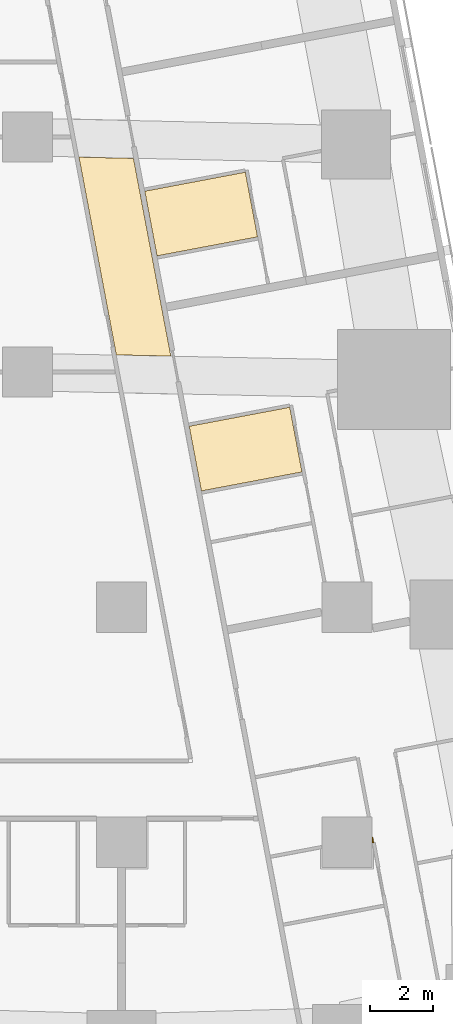
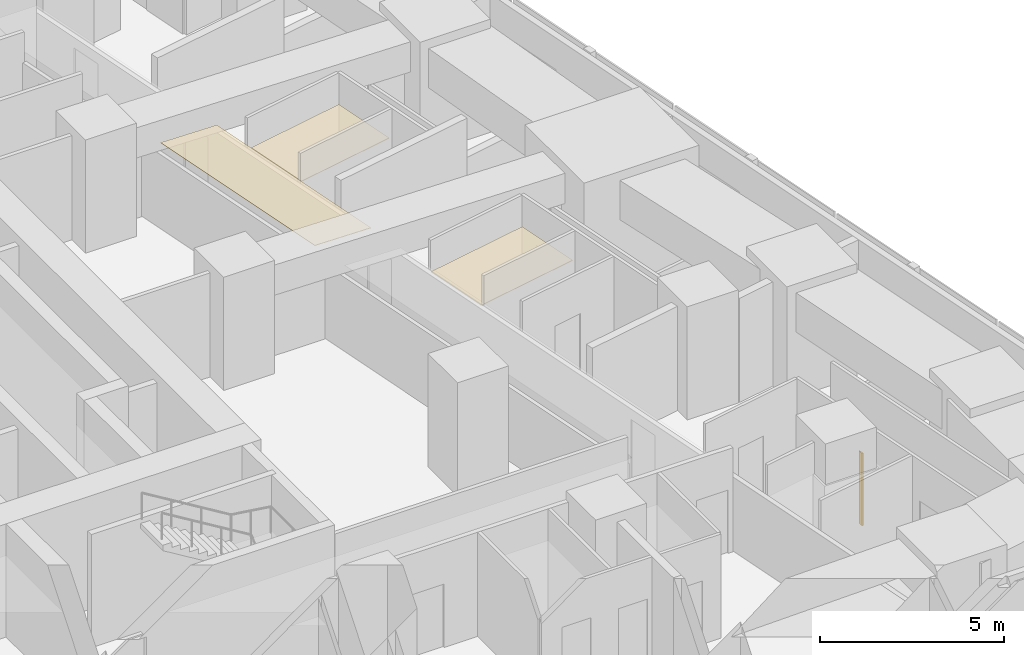
# One storey, part 13 of 14: 4 coverings.
"""IFC4 building model written with IfcOpenShell, lengths in metres."""

from ifc_helpers import new_model, si_unit, direction, frame, origin, place, context, subcontext, project, spatial, polyline, outline, extrude, material, layer, layer_set, type_object, element, save


model = new_model("IFC4")

# Units and contexts
model_context = context("Model", 3, precision=1e-05, world=origin(), true_north=direction((0.0, 1.0)))
body_context = subcontext(model_context, "Body", "Model", "MODEL_VIEW")
ifc_project = project(units=[si_unit("LENGTHUNIT", "METRE"), si_unit("AREAUNIT", "SQUARE_METRE"), si_unit("VOLUMEUNIT", "CUBIC_METRE"), si_unit("PLANEANGLEUNIT", "RADIAN"), si_unit("MASSUNIT", "GRAM", prefix="KILO")], contexts=[model_context])

# Site, building, storey
site_placement = place(None, origin())
site = spatial("IfcSite", under=ifc_project, at=site_placement, CompositionType="ELEMENT")
building_placement = place(site_placement, origin())
building = spatial("IfcBuilding", under=site, at=building_placement, Name="Sheger Commons Tower", CompositionType="ELEMENT")
storey_placement = place(building_placement, frame((0.0, 0.0, 126.64990234375)))
storey = spatial("IfcBuildingStorey", under=building, at=storey_placement, Name="L32", CompositionType="ELEMENT", Elevation=126.64990234375)

# Coverings
ifc_material_1 = material(Name="Moisture-resistant gypsum plasterboard 15 mm on a suspended galvanised steel grid", Category="steel")
ifc_layer_1 = layer(ifc_material_1, 0.014892578125)
ifc_layer_set_1 = layer_set([ifc_layer_1], Name="MOISTURE-RESISTANT CEILING 15")
covering_type_1 = type_object("IfcCoveringType", Name="MOISTURE-RESISTANT CEILING 15", PredefinedType="CEILING", material=ifc_layer_set_1)
covering_1_placement = place(storey_placement, frame((0.0, 0.0, 2.400146484375)))
element("IfcCovering", 1, at=covering_1_placement, inside=storey, type_object=covering_type_1, Name="L32-10.B1 ceiling", PredefinedType="CEILING", context=body_context, shape_type="SweptSolid", body=[
    extrude(outline(polyline([(37.135986328125, 26.2080078125), (40.343017578125, 26.81396484375), (39.952880859375, 28.8779296875), (36.74609375, 28.27099609375), (37.135986328125, 26.2080078125)])), origin(), (0.0, 0.0, 1.0), 0.014892578125),
])
covering_2_placement = place(storey_placement, frame((0.0, 0.0, 2.400146484375)))
element("IfcCovering", 2, at=covering_2_placement, inside=storey, type_object=covering_type_1, Name="L32-11.B1 ceiling", PredefinedType="CEILING", context=body_context, shape_type="SweptSolid", body=[
    extrude(outline(polyline([(38.552001953125, 18.7080078125), (41.760009765625, 19.31396484375), (41.3701171875, 21.3779296875), (38.162109375, 20.77197265625), (38.552001953125, 18.7080078125)])), origin(), (0.0, 0.0, 1.0), 0.014892578125),
])
ifc_material_2 = material(Name="Gypsum plasterboard 15 mm on a suspended steel grid", Category="steel")
ifc_layer_2 = layer(ifc_material_2, 0.014892578125)
ifc_layer_set_2 = layer_set([ifc_layer_2], Name="SUSPENDED CEILING 15")
covering_type_2 = type_object("IfcCoveringType", Name="SUSPENDED CEILING 15", PredefinedType="CEILING", material=ifc_layer_set_2)
covering_3_placement = place(storey_placement, frame((0.0, 0.0, 2.7001953125)))
element("IfcCovering", 3, at=covering_3_placement, inside=storey, type_object=covering_type_2, Name="L32-CO ceiling", PredefinedType="CEILING", context=body_context, shape_type="SweptSolid", body=[
    extrude(outline(polyline([(37.575927734375, 23.011962890625), (36.385009765625, 29.318115234375), (34.64501953125, 29.35791015625), (35.8369140625, 23.048095703125), (37.575927734375, 23.011962890625)])), origin(), (0.0, 0.0, 1.0), 0.014892578125),
])
ifc_material_3 = material(Name="Moisture-resistant gypsum board 12.5 mm on 25 mm treated timber battens, tanked and tiled", Category="wood")
ifc_layer_3 = layer(ifc_material_3, 0.050048828125)
ifc_layer_set_3 = layer_set([ifc_layer_3], Name="WET-ROOM COLUMN LINING")
covering_type_3 = type_object("IfcCoveringType", Name="WET-ROOM COLUMN LINING", PredefinedType="CLADDING", material=ifc_layer_set_3)
covering_4_placement = place(storey_placement, origin())
element("IfcCovering", 4, at=covering_4_placement, inside=storey, type_object=covering_type_3, Name="Bathroom column lining C9 L32", PredefinedType="CLADDING", context=body_context, shape_type="SweptSolid", body=[
    extrude(outline(polyline([(44.0, 7.652099609375), (44.01806640625, 7.655029296875), (44.049072265625, 7.489990234375), (44.0, 7.48095703125), (44.0, 7.652099609375)])), origin(), (0.0, 0.0, 1.0), 2.400146484375),
])

save(model, "model.ifc")
